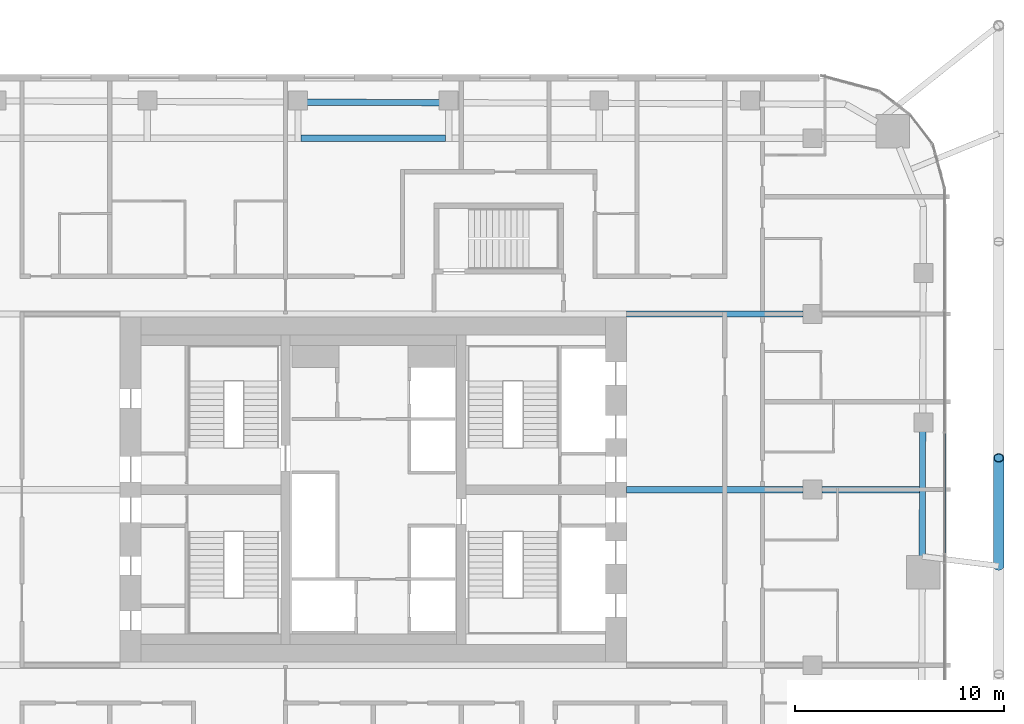
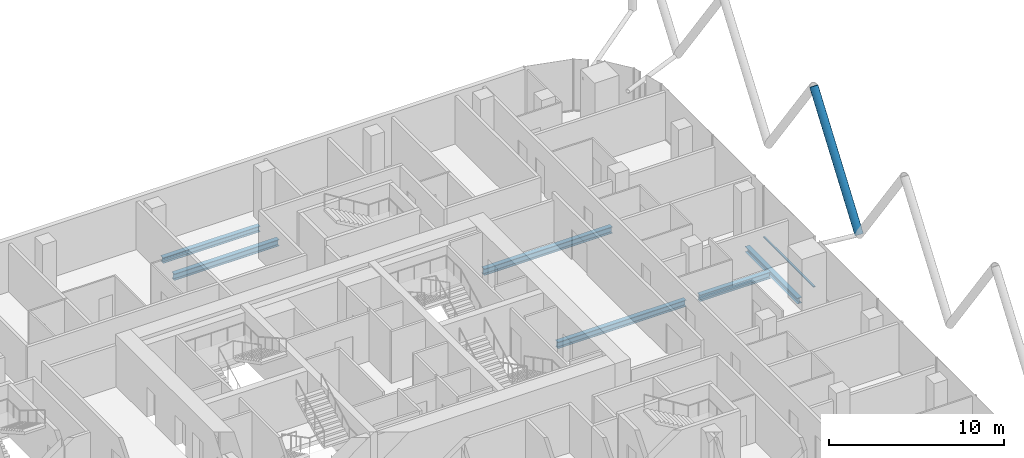
# One storey, part 12 of 36: 6 beams, 2 members, 1 element without a shape of its own.
"""IFC4 building model written with IfcOpenShell, lengths in metres."""

from ifc_helpers import new_model, si_unit, direction, frame, origin, origin_2d, place, context, subcontext, project, spatial, rectangle, hollow_circle, i_section, extrude, material, layer, layer_set, material_profile, profile_set, type_object, element, aggregate, save


model = new_model("IFC4")

# Units and contexts
model_context = context("Model", 3, precision=1e-05, world=origin(), true_north=direction((0.0, 1.0)))
body_context = subcontext(model_context, "Body", "Model", "MODEL_VIEW")
ifc_project = project(units=[si_unit("LENGTHUNIT", "METRE"), si_unit("AREAUNIT", "SQUARE_METRE"), si_unit("VOLUMEUNIT", "CUBIC_METRE"), si_unit("PLANEANGLEUNIT", "RADIAN"), si_unit("MASSUNIT", "GRAM", prefix="KILO")], contexts=[model_context])

# Site, building, storey
site_placement = place(None, origin())
site = spatial("IfcSite", under=ifc_project, at=site_placement, CompositionType="ELEMENT")
building_placement = place(site_placement, origin())
building = spatial("IfcBuilding", under=site, at=building_placement, Name="Marenta Gate Hotel Tower", CompositionType="ELEMENT")
storey_placement = place(building_placement, frame((0.0, 0.0, 130.10009765625)))
storey = spatial("IfcBuildingStorey", under=building, at=storey_placement, Name="L29", CompositionType="ELEMENT", Elevation=130.10009765625)

# Member
ifc_material_1 = material(Name="Steel S355J2W", Category="steel")
ifc_material_profile_1 = material_profile(ifc_material_1, hollow_circle(Radius=0.25390625, WallThickness=0.0400390625, at=origin_2d()), Name="CHS 508x40")
ifc_profile_set_1 = profile_set([ifc_material_profile_1], Name="Steel S355J2W")
member_type_1 = type_object("IfcMemberType", Name="Diagrid diagonal Z2 CHS 508x40", PredefinedType="BRACE", material=ifc_profile_set_1)
member_1_placement = place(storey_placement, frame((29.89990234375, 4.75, 3.139892578125), z_axis=(0.0, 0.583260841117, 0.812284919975), x_axis=(-1.0, 0.0, 0.0)))
element("IfcMember", 1, at=member_1_placement, inside=storey, type_object=member_type_1, Name="L29-DG-5", PredefinedType="BRACE", context=body_context, shape_type="SweptSolid", body=[
    extrude(hollow_circle(Radius=0.25390625, WallThickness=0.0400390625, at=origin_2d()), origin(), (0.0, 0.0, 1.0), 8.86376953125),
])

# Beams
ifc_material_2 = material(Name="Steel S355", Category="steel")
ifc_material_profile_2 = material_profile(ifc_material_2, i_section(OverallWidth=0.300048828125, OverallDepth=0.39990234375, WebThickness=0.013427734375, FlangeThickness=0.02392578125, FilletRadius=0.027099609375, at=origin_2d()), Name="HEB 400")
ifc_profile_set_2 = profile_set([ifc_material_profile_2], Name="Steel S355")
beam_type_1 = type_object("IfcBeamType", Name="Edge beam HEB 400", PredefinedType="SPANDREL", material=ifc_profile_set_2)
beam_1_placement = place(storey_placement, frame((-3.19140625, 26.926513671875, -0.460205078125), z_axis=(0.999991624938, -0.004092682982, 0.0), x_axis=(0.004092682982, 0.999991624938, 0.0)))
element("IfcBeam", 2, at=beam_1_placement, inside=storey, type_object=beam_type_1, Name="L29-EB-16", PredefinedType="SPANDREL", context=body_context, shape_type="SweptSolid", body=[
    extrude(i_section(OverallWidth=0.300048828125, OverallDepth=0.39990234375, WebThickness=0.013427734375, FlangeThickness=0.02392578125, FilletRadius=0.027099609375, at=origin_2d()), origin(), (0.0, 0.0, 1.0), 6.3828125),
])
beam_2_placement = place(storey_placement, frame((26.26416015625, 11.193115234375, -0.460205078125), z_axis=(-0.003305160059, -0.999994537944, 0.0), x_axis=(0.999994537944, -0.003305160059, 0.0)))
element("IfcBeam", 3, at=beam_2_placement, inside=storey, type_object=beam_type_1, Name="L29-EB-24", PredefinedType="SPANDREL", context=body_context, shape_type="SweptSolid", body=[
    extrude(i_section(OverallWidth=0.300048828125, OverallDepth=0.39990234375, WebThickness=0.013427734375, FlangeThickness=0.02392578125, FilletRadius=0.027099609375, at=origin_2d()), origin(), (0.0, 0.0, 1.0), 5.983154296875),
])
ifc_material_3 = material(Name="Steel S355", Category="steel")
ifc_material_profile_3 = material_profile(ifc_material_3, i_section(OverallWidth=0.300048828125, OverallDepth=0.449951171875, WebThickness=0.013916015625, FlangeThickness=0.02587890625, FilletRadius=0.027099609375, at=origin_2d()), Name="HEB 450")
ifc_profile_set_3 = profile_set([ifc_material_profile_3], Name="Steel S355")
beam_type_2 = type_object("IfcBeamType", Name="Girder HEB 450", PredefinedType="BEAM", material=ifc_profile_set_3)
beam_3_placement = place(storey_placement, frame((12.10009765625, 8.39990234375, -0.485107421875), z_axis=(1.0, 0.0, 0.0), x_axis=(0.0, 1.0, 0.0)))
element("IfcBeam", 4, at=beam_3_placement, inside=storey, type_object=beam_type_2, Name="L29-GD-22", PredefinedType="BEAM", context=body_context, shape_type="SweptSolid", body=[
    extrude(i_section(OverallWidth=0.300048828125, OverallDepth=0.449951171875, WebThickness=0.013916015625, FlangeThickness=0.02587890625, FilletRadius=0.027099609375, at=origin_2d()), origin(), (0.0, 0.0, 1.0), 8.449951171875),
])
beam_4_placement = place(storey_placement, frame((21.449951171875, 8.39990234375, -0.485107421875), z_axis=(1.0, 0.0, 0.0), x_axis=(0.0, 1.0, 0.0)))
element("IfcBeam", 5, at=beam_4_placement, inside=storey, type_object=beam_type_2, Name="L29-GD-23", PredefinedType="BEAM", context=body_context, shape_type="SweptSolid", body=[
    extrude(i_section(OverallWidth=0.300048828125, OverallDepth=0.449951171875, WebThickness=0.013916015625, FlangeThickness=0.02587890625, FilletRadius=0.027099609375, at=origin_2d()), origin(), (0.0, 0.0, 1.0), 4.655029296875),
])
beam_5_placement = place(storey_placement, frame((12.10009765625, 16.800048828125, -0.485107421875), z_axis=(1.0, 0.0, 0.0), x_axis=(0.0, 1.0, 0.0)))
element("IfcBeam", 6, at=beam_5_placement, inside=storey, type_object=beam_type_2, Name="L29-GD-27", PredefinedType="BEAM", context=body_context, shape_type="SweptSolid", body=[
    extrude(i_section(OverallWidth=0.300048828125, OverallDepth=0.449951171875, WebThickness=0.013916015625, FlangeThickness=0.02587890625, FilletRadius=0.027099609375, at=origin_2d()), origin(), (0.0, 0.0, 1.0), 8.449951171875),
])
beam_6_placement = place(storey_placement, frame((-3.451416015625, 25.199951171875, -0.485107421875), z_axis=(1.0, 0.0, 0.0), x_axis=(0.0, 1.0, 0.0)))
element("IfcBeam", 7, at=beam_6_placement, inside=storey, type_object=beam_type_2, Name="L29-GD-32", PredefinedType="BEAM", context=body_context, shape_type="SweptSolid", body=[
    extrude(i_section(OverallWidth=0.300048828125, OverallDepth=0.449951171875, WebThickness=0.013916015625, FlangeThickness=0.02587890625, FilletRadius=0.027099609375, at=origin_2d()), origin(), (0.0, 0.0, 1.0), 6.90283203125),
])

# Curtain wall, member
ifc_material_4 = material(Name="Tinted insulated glass in bronze anodised frame", Category="glass")
ifc_layer = layer(ifc_material_4, 0.1201171875)
ifc_layer_set = layer_set([ifc_layer], Name="Tinted insulated glass in bronze anodised frame")
curtain_wall_type = type_object("IfcCurtainWallType", Name="Tower unitised curtain wall CW1", PredefinedType="NOTDEFINED", material=ifc_layer_set)
curtain_wall_placement = place(storey_placement, origin())
curtain_wall = element("IfcCurtainWall", 8, at=curtain_wall_placement, inside=storey, type_object=curtain_wall_type, Name="CW1 run G35", PredefinedType="NOTDEFINED")
ifc_material_5 = material(Name="Bronze anodised aluminium", Category="aluminium")
ifc_material_profile_4 = material_profile(ifc_material_5, rectangle(XDim=0.1201171875, YDim=0.06005859375, at=origin_2d()), Name="Transom CW1 60x120 bronze anodised aluminium")
ifc_profile_set_4 = profile_set([ifc_material_profile_4], Name="Bronze anodised aluminium")
member_type_2 = type_object("IfcMemberType", Name="Transom CW1 60x120 bronze anodised aluminium", PredefinedType="USERDEFINED", material=ifc_profile_set_4)
member_2_placement = place(storey_placement, frame((27.31396484375, 5.36376953125, 0.02978515625), z_axis=(0.0, 1.0, 0.0), x_axis=(-1.0, 0.0, 0.0)))
member_2 = element("IfcMember", 9, at=member_2_placement, type_object=member_type_2, Name="CW1 transom 1.1", ObjectType="TRANSOM", PredefinedType="USERDEFINED", context=body_context, shape_type="SweptSolid", body=[
    extrude(rectangle(XDim=0.1201171875, YDim=0.06005859375, at=origin_2d()), origin(), (0.0, 0.0, 1.0), 5.7392578125),
])
aggregate(curtain_wall, [member_2])

save(model, "model.ifc")
